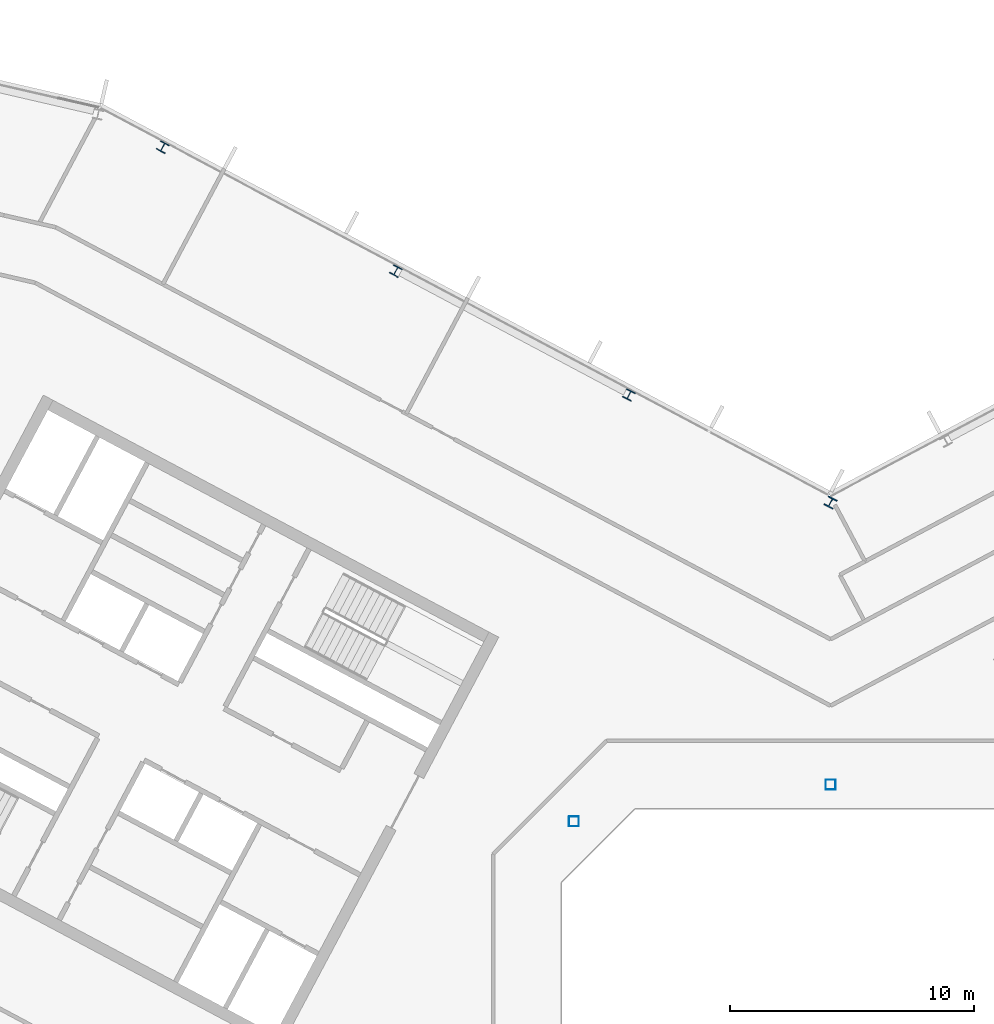
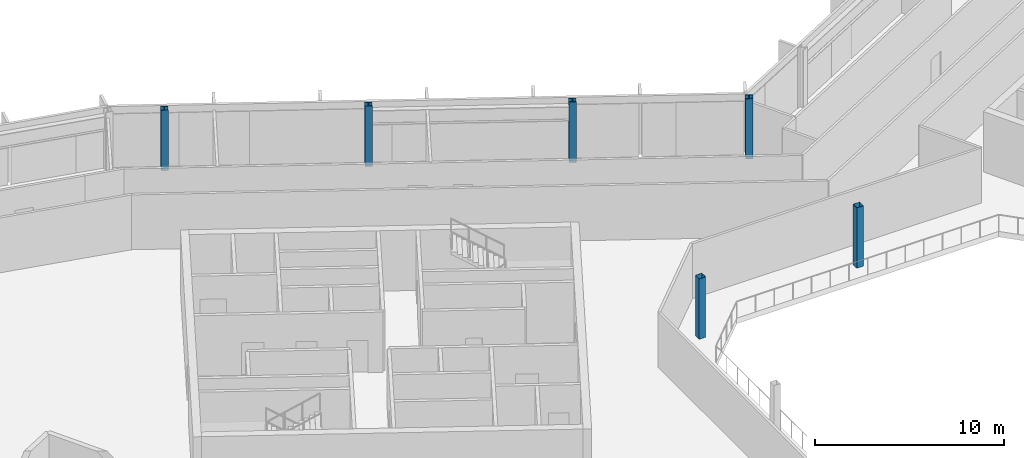
# One storey, part 4 of 26: 6 columns.
"""IFC4 building model written with IfcOpenShell, lengths in metres."""

from ifc_helpers import new_model, si_unit, direction, frame, origin, origin_2d, place, context, subcontext, project, spatial, hollow_rectangle, i_section, extrude, material, material_profile, profile_set, type_object, element, save


model = new_model("IFC4")

# Units and contexts
model_context = context("Model", 3, precision=1e-05, world=origin(), true_north=direction((0.0, 1.0)))
body_context = subcontext(model_context, "Body", "Model", "MODEL_VIEW")
ifc_project = project(units=[si_unit("LENGTHUNIT", "METRE"), si_unit("AREAUNIT", "SQUARE_METRE"), si_unit("VOLUMEUNIT", "CUBIC_METRE"), si_unit("PLANEANGLEUNIT", "RADIAN"), si_unit("MASSUNIT", "GRAM", prefix="KILO")], contexts=[model_context])

# Site, building, storey
site_placement = place(None, origin())
site = spatial("IfcSite", under=ifc_project, at=site_placement, CompositionType="ELEMENT")
building_placement = place(site_placement, origin())
building = spatial("IfcBuilding", under=site, at=building_placement, Name="Cormorant Relay Tower", CompositionType="ELEMENT")
storey_placement = place(building_placement, frame((0.0, 0.0, 312.60009765625)))
storey = spatial("IfcBuildingStorey", under=building, at=storey_placement, Name="L71", CompositionType="ELEMENT", Elevation=312.60009765625)

# Columns
ifc_material_1 = material(Name="Steel ASTM A500 Grade C (Fy 345 MPa)", Category="steel")
ifc_material_profile_1 = material_profile(ifc_material_1, hollow_rectangle(XDim=0.406494140625, YDim=0.406494140625, WallThickness=0.0087890625, InnerFilletRadius=0.00439453125, OuterFilletRadius=0.01318359375, at=origin_2d()), Name="HSS406x406x9")
ifc_profile_set_1 = profile_set([ifc_material_profile_1], Name="Steel ASTM A500 Grade C (Fy 345 MPa)")
column_type_1 = type_object("IfcColumnType", Name="Column HSS406x406x9", PredefinedType="COLUMN", material=ifc_profile_set_1)
for number, where, z_axis, x_axis, name in (
    (1, (-10.5, 10.5, 0.0), (0.0, 0.0, 1.0), (1.0, 0.0, 0.0), "Column L71-023"),
    (2, (0.0, 12.0, 0.0), (0.0, 0.0, 1.0), (1.0, 0.0, 0.0), "Column L71-025"),
):
    element("IfcColumn", number, at=place(storey_placement, frame(where, z_axis=z_axis, x_axis=x_axis)), inside=storey, type_object=column_type_1, Name=name, PredefinedType="COLUMN", context=body_context, shape_type="SweptSolid", body=[
        extrude(hollow_rectangle(XDim=0.406494140625, YDim=0.406494140625, WallThickness=0.0087890625, InnerFilletRadius=0.00439453125, OuterFilletRadius=0.01318359375, at=origin_2d()), origin(), (0.0, 0.0, 1.0), 3.89990234375),
    ])
ifc_material_2 = material(Name="Steel ASTM A992 (Fy 345 MPa)", Category="steel")
ifc_material_profile_2 = material_profile(ifc_material_2, i_section(OverallWidth=0.398681640625, OverallDepth=0.385986328125, WebThickness=0.02099609375, FlangeThickness=0.033203125, FilletRadius=0.01513671875, at=origin_2d()), Name="W360x262")
ifc_profile_set_2 = profile_set([ifc_material_profile_2], Name="Steel ASTM A992 (Fy 345 MPa)")
column_type_2 = type_object("IfcColumnType", Name="Column W360x262", PredefinedType="COLUMN", material=ifc_profile_set_2)
for number, where, z_axis, x_axis, name in (
    (3, (-8.2470703125, 27.943115234375, 0.0), (0.0, 0.0, 1.0), (-0.882947592859, 0.469471562786, 0.0), "Column L71-032"),
    (4, (-17.782958984375, 33.012939453125, 0.0), (0.0, 0.0, 1.0), (-0.882947592859, 0.469471562786, 0.0), "Column L71-036"),
    (5, (-27.319091796875, 38.0830078125, 0.0), (0.0, 0.0, 1.0), (-0.882947592859, 0.469471562786, 0.0), "Column L71-040"),
):
    element("IfcColumn", number, at=place(storey_placement, frame(where, z_axis=z_axis, x_axis=x_axis)), inside=storey, type_object=column_type_2, Name=name, PredefinedType="COLUMN", context=body_context, shape_type="SweptSolid", body=[
        extrude(i_section(OverallWidth=0.398681640625, OverallDepth=0.385986328125, WebThickness=0.02099609375, FlangeThickness=0.033203125, FilletRadius=0.01513671875, at=origin_2d()), origin(), (0.0, 0.0, 1.0), 3.89990234375),
    ])
ifc_material_3 = material(Name="Steel ASTM A992 (Fy 345 MPa)", Category="steel")
ifc_material_profile_3 = material_profile(ifc_material_3, i_section(OverallWidth=0.40380859375, OverallDepth=0.406494140625, WebThickness=0.027099609375, FlangeThickness=0.043701171875, FilletRadius=0.01513671875, at=origin_2d()), Name="W360x347")
ifc_profile_set_3 = profile_set([ifc_material_profile_3], Name="Steel ASTM A992 (Fy 345 MPa)")
column_type_3 = type_object("IfcColumnType", Name="Column W360x347", PredefinedType="COLUMN", material=ifc_profile_set_3)
column_placement = place(storey_placement, frame((0.0, 23.5439453125, 0.0), z_axis=(0.0, 0.0, 1.0), x_axis=(-0.882947592859, 0.469471562786, 0.0)))
element("IfcColumn", 6, at=column_placement, inside=storey, type_object=column_type_3, Name="Column L71-029", PredefinedType="COLUMN", context=body_context, shape_type="SweptSolid", body=[
    extrude(i_section(OverallWidth=0.40380859375, OverallDepth=0.406494140625, WebThickness=0.027099609375, FlangeThickness=0.043701171875, FilletRadius=0.01513671875, at=origin_2d()), origin(), (0.0, 0.0, 1.0), 3.89990234375),
])

save(model, "model.ifc")
